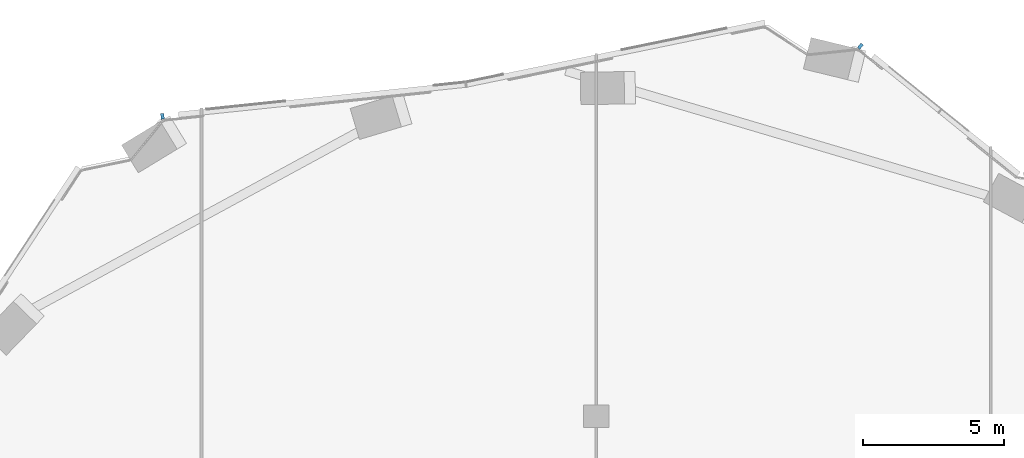
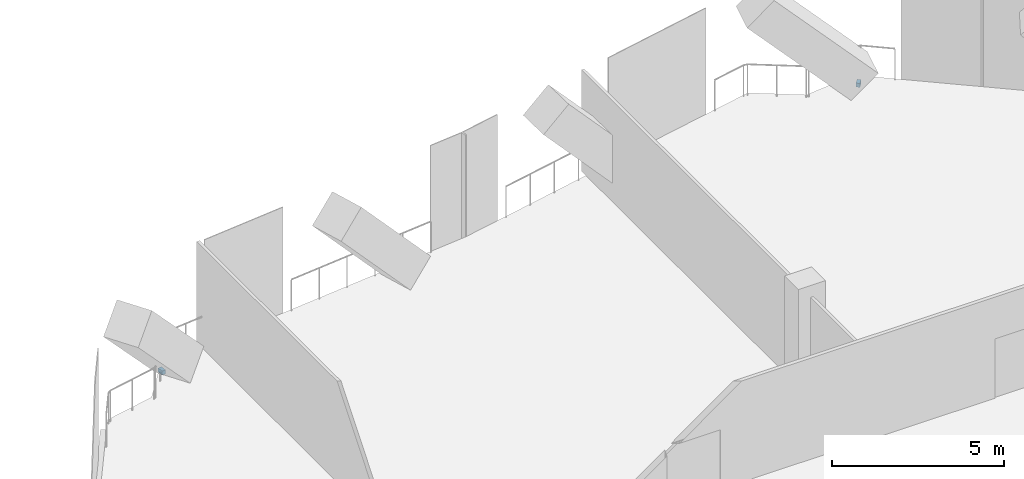
# One storey, part 14 of 26: 2 members, 2 elements without a shape of their own.
"""IFC4 building model written with IfcOpenShell, lengths in metres."""

from ifc_helpers import new_model, si_unit, direction, frame, origin, origin_2d, place, context, subcontext, project, spatial, rectangle, extrude, material, material_profile, profile_set, type_object, element, aggregate, save


model = new_model("IFC4")

# Units and contexts
model_context = context("Model", 3, precision=1e-05, world=origin(), true_north=direction((0.0, 1.0)))
body_context = subcontext(model_context, "Body", "Model", "MODEL_VIEW")
ifc_project = project(units=[si_unit("LENGTHUNIT", "METRE"), si_unit("AREAUNIT", "SQUARE_METRE"), si_unit("VOLUMEUNIT", "CUBIC_METRE"), si_unit("PLANEANGLEUNIT", "RADIAN"), si_unit("MASSUNIT", "GRAM", prefix="KILO")], contexts=[model_context])

# Site, building, storey
site_placement = place(None, origin())
site = spatial("IfcSite", under=ifc_project, at=site_placement, CompositionType="ELEMENT")
building_placement = place(site_placement, origin())
building = spatial("IfcBuilding", under=site, at=building_placement, Name="Orlundy Tower", CompositionType="ELEMENT")
storey_placement = place(building_placement, frame((0.0, 0.0, 228.0)))
storey = spatial("IfcBuildingStorey", under=building, at=storey_placement, Name="L60", CompositionType="ELEMENT", Elevation=228.0)

# Curtain wall, member
ifc_material_1 = material(Name="Aluminium bronze anodised", Category="aluminium")
curtain_wall_type = type_object("IfcCurtainWallType", Name="CW5 wall", PredefinedType="NOTDEFINED", material=ifc_material_1)
curtain_wall_1_placement = place(storey_placement, origin())
curtain_wall_1 = element("IfcCurtainWall", 1, at=curtain_wall_1_placement, inside=storey, type_object=curtain_wall_type, Name="CW5 run 011", PredefinedType="NOTDEFINED")
ifc_material_2 = material(Name="Aluminium bronze anodised", Category="aluminium")
ifc_material_profile = material_profile(ifc_material_2, rectangle(XDim=0.199951171875, YDim=0.139892578125, at=origin_2d()), Name="CW5 transom 200x140")
ifc_profile_set = profile_set([ifc_material_profile], Name="Aluminium bronze anodised")
member_type = type_object("IfcMemberType", Name="CW5 transom 200x140", PredefinedType="USERDEFINED", material=ifc_profile_set)
member_1_placement = place(storey_placement, frame((-15.4462890625, 28.642578125, -0.35009765625), z_axis=(0.994528326067, 0.104467261141, 0.0), x_axis=(-0.104467261141, 0.994528326067, 0.0)))
member_1 = element("IfcMember", 2, at=member_1_placement, type_object=member_type, Name="CW5 transom", ObjectType="TRANSOM", PredefinedType="USERDEFINED", context=body_context, shape_type="SweptSolid", body=[
    extrude(rectangle(XDim=0.199951171875, YDim=0.139892578125, at=origin_2d()), origin(), (0.0, 0.0, 1.0), 0.116943359375),
])
aggregate(curtain_wall_1, [member_1])

curtain_wall_2_placement = place(storey_placement, origin())
curtain_wall_2 = element("IfcCurtainWall", 3, at=curtain_wall_2_placement, inside=storey, type_object=curtain_wall_type, Name="CW5 run 015", PredefinedType="NOTDEFINED")
member_2_placement = place(storey_placement, frame((9.33056640625, 31.17578125, -0.35009765625), z_axis=(0.77675574872, -0.629801958421, 0.0), x_axis=(0.629801958421, 0.77675574872, 0.0)))
member_2 = element("IfcMember", 4, at=member_2_placement, type_object=member_type, Name="CW5 transom", ObjectType="TRANSOM", PredefinedType="USERDEFINED", context=body_context, shape_type="SweptSolid", body=[
    extrude(rectangle(XDim=0.199951171875, YDim=0.139892578125, at=origin_2d()), origin(), (0.0, 0.0, 1.0), 0.1162109375),
])
aggregate(curtain_wall_2, [member_2])

save(model, "model.ifc")
